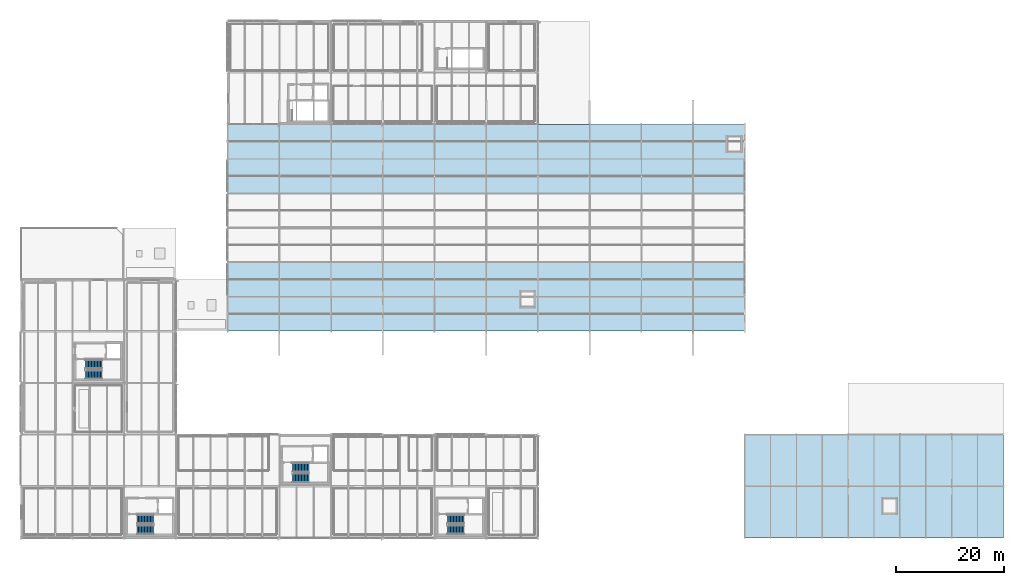
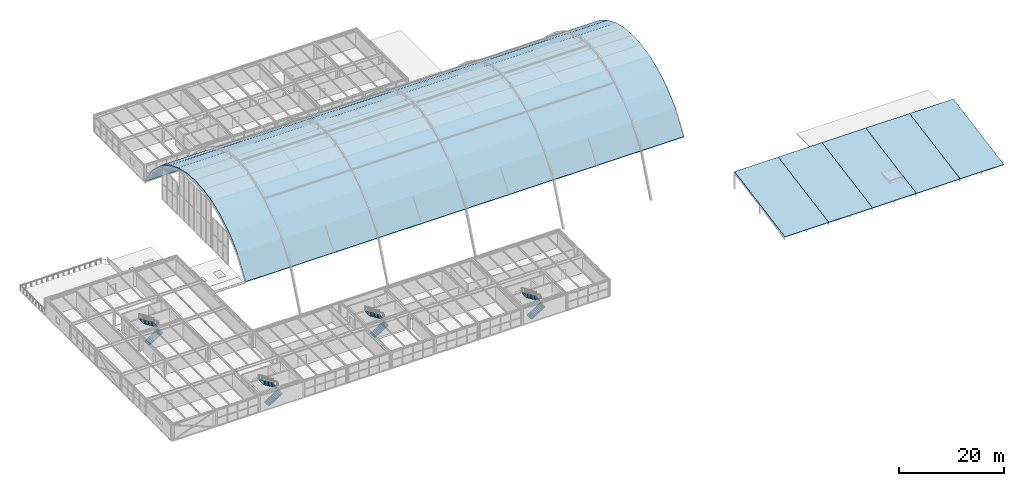
# One storey, part 121 of 126: 8 stair flights, 6 roofs, 4 elements without a shape of their own.
"""IFC4 building model written with IfcOpenShell, lengths in metres."""

from ifc_helpers import new_model, si_unit, direction, frame, origin, place, context, subcontext, project, spatial, polyline, outline, extrude, material, layer, layer_set, type_object, element, aggregate, save


model = new_model("IFC4")

# Units and contexts
model_context = context("Model", 3, precision=1e-05, world=origin(), true_north=direction((0.0, 1.0)))
body_context = subcontext(model_context, "Body", "Model", "MODEL_VIEW")
ifc_project = project(units=[si_unit("LENGTHUNIT", "METRE"), si_unit("AREAUNIT", "SQUARE_METRE"), si_unit("VOLUMEUNIT", "CUBIC_METRE"), si_unit("PLANEANGLEUNIT", "RADIAN"), si_unit("MASSUNIT", "GRAM", prefix="KILO")], contexts=[model_context])

# Site, building, storey
site_placement = place(None, origin())
site = spatial("IfcSite", under=ifc_project, at=site_placement, CompositionType="ELEMENT")
building_placement = place(site_placement, origin())
building = spatial("IfcBuilding", under=site, at=building_placement, Name="Coralgate Yard Interchange", CompositionType="ELEMENT")
storey_placement = place(building_placement, frame((0.0, 0.0, 10.5)))
storey = spatial("IfcBuildingStorey", under=building, at=storey_placement, Name="L02", CompositionType="ELEMENT", Elevation=10.5)

# Stair, stair flights
ifc_material_1 = material(Name="Concrete C40/50", Category="concrete")
stair_type = type_object("IfcStairType", Name="STR-DL-165-42", PredefinedType="HALF_TURN_STAIR", material=ifc_material_1)
stair_1_placement = place(storey_placement, origin())
stair_1 = element("IfcStair", 1, at=stair_1_placement, inside=storey, type_object=stair_type, Name="L02 Escape stair ST-01", PredefinedType="HALF_TURN_STAIR")
stair_flight_type = type_object("IfcStairFlightType", Name="STF-DL-165-42", PredefinedType="STRAIGHT", material=ifc_material_1)
stair_flight_1_placement = place(storey_placement, frame((12.0, 30.344970703125, 0.0), z_axis=(0.0, 0.0, 1.0), x_axis=(1.0, 0.0, 0.0)))
stair_flight_1 = element("IfcStairFlight", 2, at=stair_flight_1_placement, type_object=stair_flight_type, Name="ST-01 flight 1", NumberOfRisers=12, NumberOfTreads=11, PredefinedType="STRAIGHT", RiserHeight=0.175, TreadLength=0.28, context=body_context, shape_type="SweptSolid", body=[
    extrude(outline(polyline([(0.0, 0.0), (0.0, 0.175048828125), (0.280029296875, 0.175048828125), (0.280029296875, 0.35009765625), (0.56005859375, 0.35009765625), (0.56005859375, 0.52490234375), (0.840087890625, 0.52490234375), (0.840087890625, 0.699951171875), (1.1201171875, 0.699951171875), (1.1201171875, 0.875), (1.39990234375, 0.875), (1.39990234375, 1.050048828125), (1.679931640625, 1.050048828125), (1.679931640625, 1.22509765625), (1.9599609375, 1.22509765625), (1.9599609375, 1.39990234375), (2.239990234375, 1.39990234375), (2.239990234375, 1.574951171875), (2.52001953125, 1.574951171875), (2.52001953125, 1.75), (2.800048828125, 1.75), (2.800048828125, 1.925048828125), (3.080078125, 1.925048828125), (3.080078125, 2.10009765625), (3.080078125, 1.736328125), (0.3017578125, 0.0), (0.0, 0.0)])), frame((0.0, 0.824951171875, 0.0), z_axis=(0.0, -1.0, 0.0), x_axis=(1.0, 0.0, 0.0)), (0.0, 0.0, 1.0), 1.64990234375),
])
stair_flight_2_placement = place(storey_placement, frame((15.080078125, 32.284912109375, 2.10009765625), z_axis=(0.0, 0.0, 1.0), x_axis=(-1.0, 0.0, 0.0)))
stair_flight_2 = element("IfcStairFlight", 3, at=stair_flight_2_placement, type_object=stair_flight_type, Name="ST-01 flight 2", NumberOfRisers=12, NumberOfTreads=11, PredefinedType="STRAIGHT", RiserHeight=0.175, TreadLength=0.28, context=body_context, shape_type="SweptSolid", body=[
    extrude(outline(polyline([(0.0, 0.0), (0.0, 0.175048828125), (0.280029296875, 0.175048828125), (0.280029296875, 0.35009765625), (0.56005859375, 0.35009765625), (0.56005859375, 0.52490234375), (0.840087890625, 0.52490234375), (0.840087890625, 0.699951171875), (1.1201171875, 0.699951171875), (1.1201171875, 0.875), (1.39990234375, 0.875), (1.39990234375, 1.050048828125), (1.679931640625, 1.050048828125), (1.679931640625, 1.22509765625), (1.9599609375, 1.22509765625), (1.9599609375, 1.39990234375), (2.239990234375, 1.39990234375), (2.239990234375, 1.574951171875), (2.52001953125, 1.574951171875), (2.52001953125, 1.75), (2.800048828125, 1.75), (2.800048828125, 1.925048828125), (3.080078125, 1.925048828125), (3.080078125, 2.10009765625), (3.080078125, 1.736328125), (0.3017578125, 0.0), (0.0, 0.0)])), frame((0.0, 0.824951171875, 0.0), z_axis=(0.0, -1.0, 0.0), x_axis=(1.0, 0.0, 0.0)), (0.0, 0.0, 1.0), 1.64990234375),
])
aggregate(stair_1, [stair_flight_1, stair_flight_2])

stair_2_placement = place(storey_placement, origin())
stair_2 = element("IfcStair", 4, at=stair_2_placement, inside=storey, type_object=stair_type, Name="L02 Escape stair ST-02", PredefinedType="HALF_TURN_STAIR")
stair_flight_3_placement = place(storey_placement, frame((50.39990234375, 11.14501953125, 0.0), z_axis=(0.0, 0.0, 1.0), x_axis=(1.0, 0.0, 0.0)))
stair_flight_3 = element("IfcStairFlight", 5, at=stair_flight_3_placement, type_object=stair_flight_type, Name="ST-02 flight 1", NumberOfRisers=12, NumberOfTreads=11, PredefinedType="STRAIGHT", RiserHeight=0.175, TreadLength=0.28, context=body_context, shape_type="SweptSolid", body=[
    extrude(outline(polyline([(0.0, 0.0), (0.0, 0.175048828125), (0.280029296875, 0.175048828125), (0.280029296875, 0.35009765625), (0.56005859375, 0.35009765625), (0.56005859375, 0.52490234375), (0.840087890625, 0.52490234375), (0.840087890625, 0.699951171875), (1.1201171875, 0.699951171875), (1.1201171875, 0.875), (1.39990234375, 0.875), (1.39990234375, 1.050048828125), (1.679931640625, 1.050048828125), (1.679931640625, 1.22509765625), (1.9599609375, 1.22509765625), (1.9599609375, 1.39990234375), (2.239990234375, 1.39990234375), (2.239990234375, 1.574951171875), (2.52001953125, 1.574951171875), (2.52001953125, 1.75), (2.800048828125, 1.75), (2.800048828125, 1.925048828125), (3.080078125, 1.925048828125), (3.080078125, 2.10009765625), (3.080078125, 1.736328125), (0.3017578125, 0.0), (0.0, 0.0)])), frame((0.0, 0.824951171875, 0.0), z_axis=(0.0, -1.0, 0.0), x_axis=(1.0, 0.0, 0.0)), (0.0, 0.0, 1.0), 1.64990234375),
])
stair_flight_4_placement = place(storey_placement, frame((53.47998046875, 13.0849609375, 2.10009765625), z_axis=(0.0, 0.0, 1.0), x_axis=(-1.0, 0.0, 0.0)))
stair_flight_4 = element("IfcStairFlight", 6, at=stair_flight_4_placement, type_object=stair_flight_type, Name="ST-02 flight 2", NumberOfRisers=12, NumberOfTreads=11, PredefinedType="STRAIGHT", RiserHeight=0.175, TreadLength=0.28, context=body_context, shape_type="SweptSolid", body=[
    extrude(outline(polyline([(0.0, 0.0), (0.0, 0.175048828125), (0.280029296875, 0.175048828125), (0.280029296875, 0.35009765625), (0.56005859375, 0.35009765625), (0.56005859375, 0.52490234375), (0.840087890625, 0.52490234375), (0.840087890625, 0.699951171875), (1.1201171875, 0.699951171875), (1.1201171875, 0.875), (1.39990234375, 0.875), (1.39990234375, 1.050048828125), (1.679931640625, 1.050048828125), (1.679931640625, 1.22509765625), (1.9599609375, 1.22509765625), (1.9599609375, 1.39990234375), (2.239990234375, 1.39990234375), (2.239990234375, 1.574951171875), (2.52001953125, 1.574951171875), (2.52001953125, 1.75), (2.800048828125, 1.75), (2.800048828125, 1.925048828125), (3.080078125, 1.925048828125), (3.080078125, 2.10009765625), (3.080078125, 1.736328125), (0.3017578125, 0.0), (0.0, 0.0)])), frame((0.0, 0.824951171875, 0.0), z_axis=(0.0, -1.0, 0.0), x_axis=(1.0, 0.0, 0.0)), (0.0, 0.0, 1.0), 1.64990234375),
])
aggregate(stair_2, [stair_flight_3, stair_flight_4])

stair_3_placement = place(storey_placement, origin())
stair_3 = element("IfcStair", 7, at=stair_3_placement, inside=storey, type_object=stair_type, Name="L02 Escape stair ST-03", PredefinedType="HALF_TURN_STAIR")
stair_flight_5_placement = place(storey_placement, frame((21.60009765625, 1.544921875, 0.0), z_axis=(0.0, 0.0, 1.0), x_axis=(1.0, 0.0, 0.0)))
stair_flight_5 = element("IfcStairFlight", 8, at=stair_flight_5_placement, type_object=stair_flight_type, Name="ST-03 flight 1", NumberOfRisers=12, NumberOfTreads=11, PredefinedType="STRAIGHT", RiserHeight=0.175, TreadLength=0.28, context=body_context, shape_type="SweptSolid", body=[
    extrude(outline(polyline([(0.0, 0.0), (0.0, 0.175048828125), (0.280029296875, 0.175048828125), (0.280029296875, 0.35009765625), (0.56005859375, 0.35009765625), (0.56005859375, 0.52490234375), (0.840087890625, 0.52490234375), (0.840087890625, 0.699951171875), (1.1201171875, 0.699951171875), (1.1201171875, 0.875), (1.39990234375, 0.875), (1.39990234375, 1.050048828125), (1.679931640625, 1.050048828125), (1.679931640625, 1.22509765625), (1.9599609375, 1.22509765625), (1.9599609375, 1.39990234375), (2.239990234375, 1.39990234375), (2.239990234375, 1.574951171875), (2.52001953125, 1.574951171875), (2.52001953125, 1.75), (2.800048828125, 1.75), (2.800048828125, 1.925048828125), (3.080078125, 1.925048828125), (3.080078125, 2.10009765625), (3.080078125, 1.736328125), (0.3017578125, 0.0), (0.0, 0.0)])), frame((0.0, 0.824951171875, 0.0), z_axis=(0.0, -1.0, 0.0), x_axis=(1.0, 0.0, 0.0)), (0.0, 0.0, 1.0), 1.64990234375),
])
stair_flight_6_placement = place(storey_placement, frame((24.679931640625, 3.485107421875, 2.10009765625), z_axis=(0.0, 0.0, 1.0), x_axis=(-1.0, 0.0, 0.0)))
stair_flight_6 = element("IfcStairFlight", 9, at=stair_flight_6_placement, type_object=stair_flight_type, Name="ST-03 flight 2", NumberOfRisers=12, NumberOfTreads=11, PredefinedType="STRAIGHT", RiserHeight=0.175, TreadLength=0.28, context=body_context, shape_type="SweptSolid", body=[
    extrude(outline(polyline([(0.0, 0.0), (0.0, 0.175048828125), (0.280029296875, 0.175048828125), (0.280029296875, 0.35009765625), (0.56005859375, 0.35009765625), (0.56005859375, 0.52490234375), (0.840087890625, 0.52490234375), (0.840087890625, 0.699951171875), (1.1201171875, 0.699951171875), (1.1201171875, 0.875), (1.39990234375, 0.875), (1.39990234375, 1.050048828125), (1.679931640625, 1.050048828125), (1.679931640625, 1.22509765625), (1.9599609375, 1.22509765625), (1.9599609375, 1.39990234375), (2.239990234375, 1.39990234375), (2.239990234375, 1.574951171875), (2.52001953125, 1.574951171875), (2.52001953125, 1.75), (2.800048828125, 1.75), (2.800048828125, 1.925048828125), (3.080078125, 1.925048828125), (3.080078125, 2.10009765625), (3.080078125, 1.736328125), (0.3017578125, 0.0), (0.0, 0.0)])), frame((0.0, 0.824951171875, 0.0), z_axis=(0.0, -1.0, 0.0), x_axis=(1.0, 0.0, 0.0)), (0.0, 0.0, 1.0), 1.64990234375),
])
aggregate(stair_3, [stair_flight_5, stair_flight_6])

stair_4_placement = place(storey_placement, origin())
stair_4 = element("IfcStair", 10, at=stair_4_placement, inside=storey, type_object=stair_type, Name="L02 Escape stair ST-04", PredefinedType="HALF_TURN_STAIR")
stair_flight_7_placement = place(storey_placement, frame((79.199951171875, 1.544921875, 0.0), z_axis=(0.0, 0.0, 1.0), x_axis=(1.0, 0.0, 0.0)))
stair_flight_7 = element("IfcStairFlight", 11, at=stair_flight_7_placement, type_object=stair_flight_type, Name="ST-04 flight 1", NumberOfRisers=12, NumberOfTreads=11, PredefinedType="STRAIGHT", RiserHeight=0.175, TreadLength=0.28, context=body_context, shape_type="SweptSolid", body=[
    extrude(outline(polyline([(0.0, 0.0), (0.0, 0.175048828125), (0.280029296875, 0.175048828125), (0.280029296875, 0.35009765625), (0.56005859375, 0.35009765625), (0.56005859375, 0.52490234375), (0.840087890625, 0.52490234375), (0.840087890625, 0.699951171875), (1.1201171875, 0.699951171875), (1.1201171875, 0.875), (1.39990234375, 0.875), (1.39990234375, 1.050048828125), (1.679931640625, 1.050048828125), (1.679931640625, 1.22509765625), (1.9599609375, 1.22509765625), (1.9599609375, 1.39990234375), (2.239990234375, 1.39990234375), (2.239990234375, 1.574951171875), (2.52001953125, 1.574951171875), (2.52001953125, 1.75), (2.800048828125, 1.75), (2.800048828125, 1.925048828125), (3.080078125, 1.925048828125), (3.080078125, 2.10009765625), (3.080078125, 1.736328125), (0.3017578125, 0.0), (0.0, 0.0)])), frame((0.0, 0.824951171875, 0.0), z_axis=(0.0, -1.0, 0.0), x_axis=(1.0, 0.0, 0.0)), (0.0, 0.0, 1.0), 1.64990234375),
])
stair_flight_8_placement = place(storey_placement, frame((82.280029296875, 3.485107421875, 2.10009765625), z_axis=(0.0, 0.0, 1.0), x_axis=(-1.0, 0.0, 0.0)))
stair_flight_8 = element("IfcStairFlight", 12, at=stair_flight_8_placement, type_object=stair_flight_type, Name="ST-04 flight 2", NumberOfRisers=12, NumberOfTreads=11, PredefinedType="STRAIGHT", RiserHeight=0.175, TreadLength=0.28, context=body_context, shape_type="SweptSolid", body=[
    extrude(outline(polyline([(0.0, 0.0), (0.0, 0.175048828125), (0.280029296875, 0.175048828125), (0.280029296875, 0.35009765625), (0.56005859375, 0.35009765625), (0.56005859375, 0.52490234375), (0.840087890625, 0.52490234375), (0.840087890625, 0.699951171875), (1.1201171875, 0.699951171875), (1.1201171875, 0.875), (1.39990234375, 0.875), (1.39990234375, 1.050048828125), (1.679931640625, 1.050048828125), (1.679931640625, 1.22509765625), (1.9599609375, 1.22509765625), (1.9599609375, 1.39990234375), (2.239990234375, 1.39990234375), (2.239990234375, 1.574951171875), (2.52001953125, 1.574951171875), (2.52001953125, 1.75), (2.800048828125, 1.75), (2.800048828125, 1.925048828125), (3.080078125, 1.925048828125), (3.080078125, 2.10009765625), (3.080078125, 1.736328125), (0.3017578125, 0.0), (0.0, 0.0)])), frame((0.0, 0.824951171875, 0.0), z_axis=(0.0, -1.0, 0.0), x_axis=(1.0, 0.0, 0.0)), (0.0, 0.0, 1.0), 1.64990234375),
])
aggregate(stair_4, [stair_flight_7, stair_flight_8])

# Roofs
ifc_material_2 = material(Name="White PVDF-coated aluminium standing-seam roof assembly", Category="aluminium")
ifc_layer_1 = layer(ifc_material_2, 0.1201171875)
ifc_layer_set_1 = layer_set([ifc_layer_1], Name="White PVDF-coated aluminium standing-seam roof assembly")
roof_type_1 = type_object("IfcRoofType", Name="ROF-BV1", PredefinedType="BARREL_ROOF", material=ifc_layer_set_1)
roof_1_placement = place(storey_placement, frame((38.39990234375, 38.39990234375, 0.159912109375), z_axis=(1.0, 0.0, 0.0), x_axis=(0.0, 1.0, 0.0)))
element("IfcRoof", 13, at=roof_1_placement, inside=storey, type_object=roof_type_1, Name="Central concourse barrel-vault roof shell", PredefinedType="BARREL_ROOF", context=body_context, shape_type="SweptSolid", body=[
    extrude(outline(polyline([(0.0, 0.0), (3.2001953125, 4.686279296875), (6.400146484375, 7.599365234375), (9.60009765625, 9.5625), (12.800048828125, 10.85009765625), (16.0, 11.58544921875), (19.2001953125, 11.824951171875), (22.400146484375, 11.58544921875), (25.60009765625, 10.85009765625), (28.800048828125, 9.5625), (32.0, 7.599365234375), (35.2001953125, 4.686279296875), (38.400146484375, 0.0), (38.400146484375, -0.1201171875), (35.2001953125, 4.566162109375), (32.0, 7.479248046875), (28.800048828125, 9.4423828125), (25.60009765625, 10.72998046875), (22.400146484375, 11.46533203125), (19.2001953125, 11.704833984375), (16.0, 11.46533203125), (12.800048828125, 10.72998046875), (9.60009765625, 9.4423828125), (6.400146484375, 7.479248046875), (3.2001953125, 4.566162109375), (0.0, -0.1201171875), (0.0, 0.0)])), origin(), (0.0, 0.0, 1.0), 96.0),
])
ifc_material_3 = material(Name="Anodised coastal aluminium standing-seam roof assembly", Category="aluminium")
ifc_layer_2 = layer(ifc_material_3, 0.1201171875)
ifc_layer_set_2 = layer_set([ifc_layer_2], Name="Anodised coastal aluminium standing-seam roof assembly")
roof_type_2 = type_object("IfcRoofType", Name="ROF-PV1", PredefinedType="SHED_ROOF", material=ifc_layer_set_2)
for number, where, z_axis, x_axis, name in (
    (14, (134.39990234375, 0.0, 0.219970703125), (1.0, 0.0, 0.0), (0.0, 1.0, 0.0), "Cycle hub pitched coastal roof bay 1"),
    (15, (144.0, 0.0, 0.219970703125), (1.0, 0.0, 0.0), (0.0, 1.0, 0.0), "Cycle hub pitched coastal roof bay 2"),
):
    element("IfcRoof", number, at=place(storey_placement, frame(where, z_axis=z_axis, x_axis=x_axis)), inside=storey, type_object=roof_type_2, Name=name, PredefinedType="SHED_ROOF", context=body_context, shape_type="SweptSolid", body=[
        extrude(outline(polyline([(0.0, 0.0), (19.199951171875, 3.5), (19.199951171875, 3.3798828125), (0.0, -0.1201171875), (0.0, 0.0)])), origin(), (0.0, 0.0, 1.0), 9.60009765625),
    ])
roof_2_placement = place(storey_placement, frame((153.60009765625, 0.0, 0.219970703125), z_axis=(1.0, 0.0, 0.0), x_axis=(0.0, 1.0, 0.0)))
element("IfcRoof", 16, at=roof_2_placement, inside=storey, type_object=roof_type_2, Name="Cycle hub pitched coastal roof bay 3", PredefinedType="SHED_ROOF", context=body_context, shape_type="SweptSolid", body=[
    extrude(outline(polyline([(0.0, 0.0), (19.199951171875, 3.5), (19.199951171875, 3.3798828125), (0.0, -0.1201171875), (0.0, 0.0)])), origin(), (0.0, 0.0, 1.0), 9.599853515625),
])
roof_3_placement = place(storey_placement, frame((163.199951171875, 0.0, 0.219970703125), z_axis=(1.0, 0.0, 0.0), x_axis=(0.0, 1.0, 0.0)))
element("IfcRoof", 17, at=roof_3_placement, inside=storey, type_object=roof_type_2, Name="Cycle hub pitched coastal roof bay 4", PredefinedType="SHED_ROOF", context=body_context, shape_type="SweptSolid", body=[
    extrude(outline(polyline([(0.0, 0.0), (19.199951171875, 3.5), (19.199951171875, 3.3798828125), (0.0, -0.1201171875), (0.0, 0.0)])), origin(), (0.0, 0.0, 1.0), 9.60009765625),
])
roof_4_placement = place(storey_placement, frame((172.800048828125, 0.0, 0.219970703125), z_axis=(1.0, 0.0, 0.0), x_axis=(0.0, 1.0, 0.0)))
element("IfcRoof", 18, at=roof_4_placement, inside=storey, type_object=roof_type_2, Name="Cycle hub pitched coastal roof bay 5", PredefinedType="SHED_ROOF", context=body_context, shape_type="SweptSolid", body=[
    extrude(outline(polyline([(0.0, 0.0), (19.199951171875, 3.5), (19.199951171875, 3.3798828125), (0.0, -0.1201171875), (0.0, 0.0)])), origin(), (0.0, 0.0, 1.0), 9.599853515625),
])

save(model, "model.ifc")
